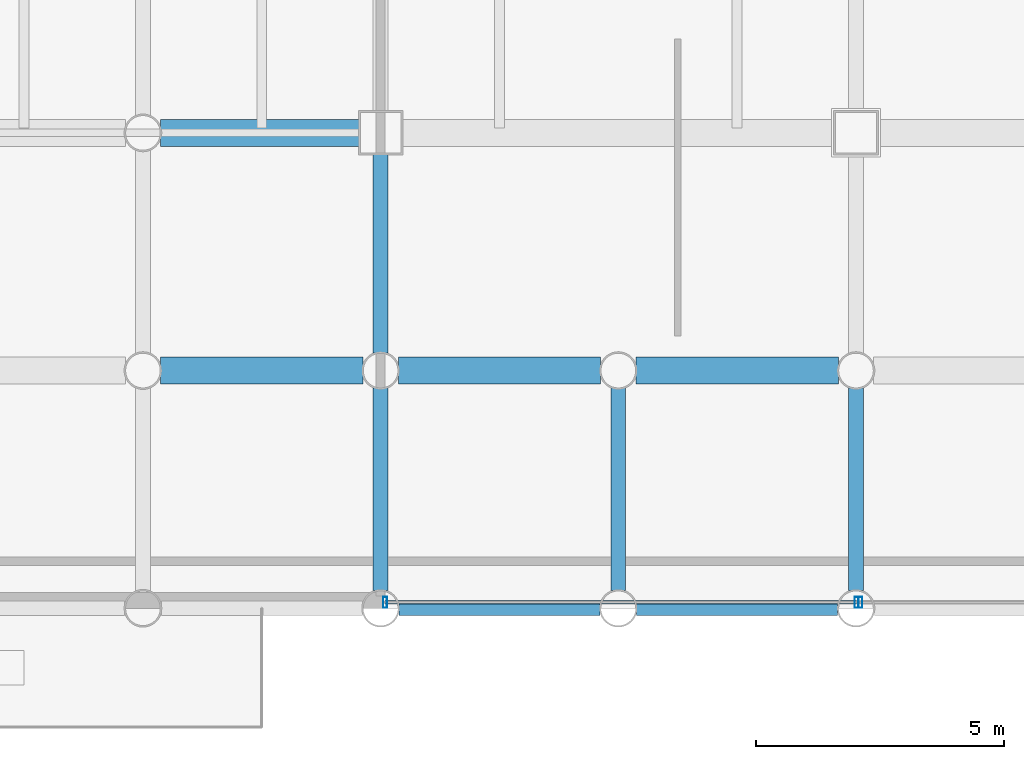
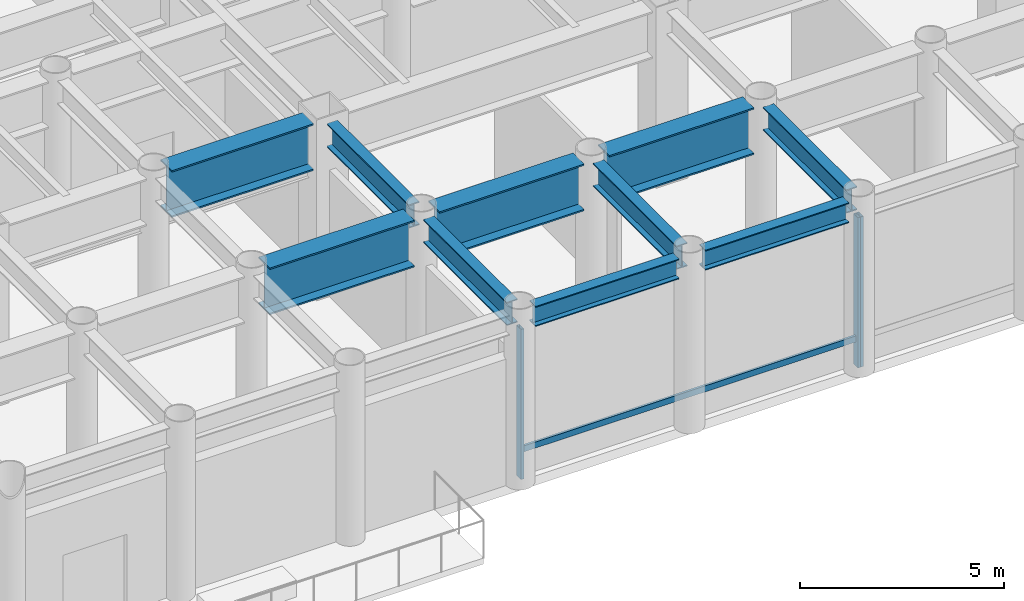
# One storey, part 2 of 17: 10 beams, 4 members, 2 elements without a shape of their own.
"""IFC4 building model written with IfcOpenShell, lengths in metres."""

import ifcopenshell
import ifcopenshell.guid

model = None  # the IFC model being written
_history = None  # IfcOwnerHistory: only IFC2X3 demands one
_inside = {}  # id of a spatial element -> (the spatial element, [elements in it])
_under = {}  # id of a project, library or spatial element -> (it, [spatial elements below it])
_declared = {}  # id of a project -> (the project, [libraries it declares])
_typed = {}  # id of a type object -> (the type object, [elements of that type])
_made_of = {}  # id of a material, layer set ... -> (it, [elements and type objects made of it])


def new_model(schema):
    """Start an empty IFC model of exactly this schema.

    Asked for "IFC4X3", IfcOpenShell would pick the latest addendum, in which some entities
    have other attributes; the version numbers below select the first issue.
    IFC2X3 requires an IfcOwnerHistory on every rooted entity: one is made here for all.
    """
    global model, _history
    if schema == "IFC4X3":
        model = ifcopenshell.file(schema_version=(4, 3, 0, 0))
    else:
        model = ifcopenshell.file(schema=schema)
    _inside.clear()
    _under.clear()
    _declared.clear()
    _typed.clear()
    _made_of.clear()
    _history = None
    if model.schema == "IFC2X3":
        org = make("IfcOrganization", Name="unknown")
        user = make(
            "IfcPersonAndOrganization",
            ThePerson=make("IfcPerson", FamilyName="unknown"),
            TheOrganization=org,
        )
        app = make(
            "IfcApplication",
            ApplicationDeveloper=org,
            Version="unknown",
            ApplicationFullName="unknown",
            ApplicationIdentifier="unknown",
        )
        _history = make(
            "IfcOwnerHistory",
            OwningUser=user,
            OwningApplication=app,
            ChangeAction="ADDED",
            CreationDate=0,
        )
    return model


def make(cls, **values):
    """One entity of the class cls with the attributes given. An attribute that is None is left unset."""
    return model.create_entity(
        cls, **{name: value for name, value in values.items() if value is not None}
    )


def rooted(cls, **values):
    """An entity with a GlobalId (a new one), such as an element, a storey or a relation."""
    return make(cls, GlobalId=ifcopenshell.guid.new(), OwnerHistory=_history, **values)


def si_unit(unit_type, name, prefix=None):
    """IfcSIUnit, for example si_unit("LENGTHUNIT", "METRE", prefix="MILLI")."""
    return make("IfcSIUnit", UnitType=unit_type, Prefix=prefix, Name=name)


def assignment(units):
    """IfcUnitAssignment: the units of a project."""
    return None if units is None else make("IfcUnitAssignment", Units=units)


def point(xyz):
    """IfcCartesianPoint."""
    return None if xyz is None else make("IfcCartesianPoint", Coordinates=xyz)


def direction(xyz):
    """IfcDirection."""
    return None if xyz is None else make("IfcDirection", DirectionRatios=xyz)


def frame(location, z_axis=None, x_axis=None):
    """IfcAxis2Placement3D, a coordinate frame: its origin and axes. An axis left out is left unset."""
    return make(
        "IfcAxis2Placement3D",
        Location=point(location),
        Axis=direction(z_axis),
        RefDirection=direction(x_axis),
    )


def frame_2d(location, x_axis=None):
    """IfcAxis2Placement2D, a coordinate frame in the plane: its origin and x axis."""
    return make(
        "IfcAxis2Placement2D", Location=point(location), RefDirection=direction(x_axis)
    )


def origin():
    """The frame at (0, 0, 0) with its axes left unset."""
    return frame((0.0, 0.0, 0.0))


def origin_2d():
    """The frame at (0, 0) in the plane with its x axis left unset."""
    return frame_2d((0.0, 0.0))


def place(relative_to, where):
    """IfcLocalPlacement: puts the frame where relative to a parent placement (None: the world)."""
    return make(
        "IfcLocalPlacement", PlacementRelTo=relative_to, RelativePlacement=where
    )


def context(
    kind, dimensions, precision=None, world=None, true_north=None, identifier=None
):
    """IfcGeometricRepresentationContext, for example the 3D "Model" context."""
    return make(
        "IfcGeometricRepresentationContext",
        ContextIdentifier=identifier,
        ContextType=kind,
        CoordinateSpaceDimension=dimensions,
        Precision=precision,
        WorldCoordinateSystem=world,
        TrueNorth=true_north,
    )


def subcontext(parent, identifier, kind, view, scale=None):
    """IfcGeometricRepresentationSubContext, for example "Body" below "Model"."""
    return make(
        "IfcGeometricRepresentationSubContext",
        ContextIdentifier=identifier,
        ContextType=kind,
        ParentContext=parent,
        TargetScale=scale,
        TargetView=view,
    )


def project(units=None, contexts=None):
    """IfcProject with its units and contexts."""
    return rooted(
        "IfcProject",
        Name="project",
        RepresentationContexts=contexts,
        UnitsInContext=assignment(units),
    )


def spatial(cls, under=None, at=None, **own):
    """A site, building, storey or space (cls), placed at a placement, below another one or the project."""
    s = rooted(cls, ObjectPlacement=at, **own)
    if under is not None:
        _under.setdefault(under.id(), (under, []))[1].append(s)
    return s


def profile(cls, at=None, kind="AREA", **sizes):
    """A parametric profile (cls). Its sizes go by their IFC names, for example OverallWidth=200.0."""
    return make(cls, ProfileType=kind, Position=at, **sizes)


def hollow_rectangle(**sizes):
    """IfcRectangleHollowProfileDef."""
    return profile("IfcRectangleHollowProfileDef", **sizes)


def i_section(**sizes):
    """IfcIShapeProfileDef."""
    return profile("IfcIShapeProfileDef", **sizes)


def extrude(swept, where, along, depth):
    """IfcExtrudedAreaSolid: the profile swept, set in the frame where, extruded along a direction by depth."""
    return make(
        "IfcExtrudedAreaSolid",
        SweptArea=swept,
        Position=where,
        ExtrudedDirection=direction(along),
        Depth=depth,
    )


def shape(context_of_items, identifier, shape_type, items):
    """IfcShapeRepresentation: the items that make up one representation, for example the "Body"."""
    return make(
        "IfcShapeRepresentation",
        ContextOfItems=context_of_items,
        RepresentationIdentifier=identifier,
        RepresentationType=shape_type,
        Items=items,
    )


def material(Name=None, Category=None):
    """IfcMaterial."""
    return make("IfcMaterial", Name=Name, Category=Category)


def layer(
    of_material, thickness, ventilated=None, Name=None, Category=None, Priority=None
):
    """IfcMaterialLayer: one layer of a wall or slab, of a material (None: an air gap)."""
    return make(
        "IfcMaterialLayer",
        Material=of_material,
        LayerThickness=thickness,
        IsVentilated=ventilated,
        Name=Name,
        Category=Category,
        Priority=Priority,
    )


def layer_set(layers, Name=None):
    """IfcMaterialLayerSet."""
    return make("IfcMaterialLayerSet", MaterialLayers=layers, LayerSetName=Name)


def material_profile(
    of_material, cross_section, Name=None, Category=None, Priority=None
):
    """IfcMaterialProfile: a cross section and its material."""
    return make(
        "IfcMaterialProfile",
        Name=Name,
        Material=of_material,
        Profile=cross_section,
        Priority=Priority,
        Category=Category,
    )


def profile_set(profiles, Name=None, composite=None):
    """IfcMaterialProfileSet."""
    return make(
        "IfcMaterialProfileSet",
        Name=Name,
        MaterialProfiles=profiles,
        CompositeProfile=composite,
    )


def made_of(thing, what):
    """Note that an element or type object is made of a material, layer set ...; save() writes the relation."""
    if what is not None:
        _made_of.setdefault(what.id(), (what, []))[1].append(thing)
    return thing


def type_object(cls, material=None, **own):
    """A type object (cls), such as IfcWallType, which elements share."""
    return made_of(rooted(cls, **own), material)


def element(
    cls,
    number,
    at=None,
    inside=None,
    cuts=None,
    type_object=None,
    material=None,
    context=None,
    identifier="Body",
    shape_type=None,
    held_by="IfcProductDefinitionShape",
    body=None,
    shapes=None,
    **own,
):
    """One element of the class cls, such as IfcWall. Its Tag is "e" and its number.

    at: its placement. inside: the storey or other place that contains it. cuts: it is an
    opening in that element (IfcRelVoidsElement). A single representation is given by context,
    identifier, shape_type and body (its items); several are given by shapes. held_by: the class
    of the entity that holds the representations. save() writes the other relations.
    """
    e = rooted(cls, Tag="e%d" % number, ObjectPlacement=at, **own)
    if body is not None:
        shapes = [shape(context, identifier, shape_type, body)]
    if shapes is not None:
        e.Representation = make(held_by, Representations=shapes)
    if inside is not None:
        _inside.setdefault(inside.id(), (inside, []))[1].append(e)
    if cuts is not None:
        rooted(
            "IfcRelVoidsElement", RelatingBuildingElement=cuts, RelatedOpeningElement=e
        )
    if type_object is not None:
        _typed.setdefault(type_object.id(), (type_object, []))[1].append(e)
    return made_of(e, material)


def aggregate(whole, parts):
    """IfcRelAggregates: a whole, such as a stair, and the parts it consists of."""
    return rooted("IfcRelAggregates", RelatingObject=whole, RelatedObjects=parts)


def save(model, path):
    """Write the relations noted so far, then the file.

    IfcRelAggregates (storeys below a building ...), IfcRelContainedInSpatialStructure (elements
    in a storey), IfcRelDefinesByType, IfcRelAssociatesMaterial and IfcRelDeclares: one each for
    every whole, place, type object, material and project.
    """
    for whole, parts in _under.values():
        aggregate(whole, parts)
    for where, things in _inside.values():
        rooted(
            "IfcRelContainedInSpatialStructure",
            RelatedElements=things,
            RelatingStructure=where,
        )
    for kind, things in _typed.values():
        rooted("IfcRelDefinesByType", RelatedObjects=things, RelatingType=kind)
    for what, things in _made_of.values():
        rooted("IfcRelAssociatesMaterial", RelatedObjects=things, RelatingMaterial=what)
    for by, libraries in _declared.values():
        rooted("IfcRelDeclares", RelatingContext=by, RelatedDefinitions=libraries)
    model.write(path)


model = new_model("IFC4")

# Units and contexts
model_context = context("Model", 3, precision=1e-05, world=origin(), true_north=direction((0.0, 1.0)))
body_context = subcontext(model_context, "Body", "Model", "MODEL_VIEW")
ifc_project = project(units=[si_unit("LENGTHUNIT", "METRE"), si_unit("AREAUNIT", "SQUARE_METRE"), si_unit("VOLUMEUNIT", "CUBIC_METRE"), si_unit("PLANEANGLEUNIT", "RADIAN"), si_unit("MASSUNIT", "GRAM", prefix="KILO")], contexts=[model_context])

# Site, building, storey
site_placement = place(None, origin())
site = spatial("IfcSite", under=ifc_project, at=site_placement, CompositionType="ELEMENT")
building_placement = place(site_placement, origin())
building = spatial("IfcBuilding", under=site, at=building_placement, Name="Kallvorn Hotel Tower", CompositionType="ELEMENT")
storey_placement = place(building_placement, frame((0.0, 0.0, 19.199951171875)))
storey = spatial("IfcBuildingStorey", under=building, at=storey_placement, Name="L03", CompositionType="ELEMENT", Elevation=19.199951171875)

# Beams
ifc_material_1 = material(Name="Structural steel S355JR", Category="steel")
ifc_material_profile_1 = material_profile(ifc_material_1, i_section(OverallWidth=0.300048828125, OverallDepth=0.60009765625, WebThickness=0.015380859375, FlangeThickness=0.030029296875, at=origin_2d()), Name="HE 600 B")
ifc_profile_set_1 = profile_set([ifc_material_profile_1], Name="Structural steel S355JR")
beam_type_1 = type_object("IfcBeamType", Name="BM_HE600B", PredefinedType="SPANDREL", material=ifc_profile_set_1)
for number, where, z_axis, x_axis, name in (
    (1, (-14.029052734375, -24.0, 4.880126953125), (1.0, 0.0, 0.0), (0.0, 1.0, 0.0), "L04 Perimeter Spandrel 175"),
    (2, (-9.22900390625, -24.0, 4.880126953125), (1.0, 0.0, 0.0), (0.0, 1.0, 0.0), "L04 Perimeter Spandrel 176"),
):
    element("IfcBeam", number, at=place(storey_placement, frame(where, z_axis=z_axis, x_axis=x_axis)), inside=storey, type_object=beam_type_1, Name=name, PredefinedType="SPANDREL", context=body_context, shape_type="SweptSolid", body=[
        extrude(i_section(OverallWidth=0.300048828125, OverallDepth=0.60009765625, WebThickness=0.015380859375, FlangeThickness=0.030029296875, at=origin_2d()), origin(), (0.0, 0.0, 1.0), 4.05810546875),
    ])
ifc_material_2 = material(Name="Structural steel S355JR", Category="steel")
ifc_material_profile_2 = material_profile(ifc_material_2, i_section(OverallWidth=0.300048828125, OverallDepth=0.699951171875, WebThickness=0.01708984375, FlangeThickness=0.031982421875, at=origin_2d()), Name="HE 700 B")
ifc_profile_set_2 = profile_set([ifc_material_profile_2], Name="Structural steel S355JR")
beam_type_2 = type_object("IfcBeamType", Name="BM_HE700B", PredefinedType="BEAM", material=ifc_profile_set_2)
beam_1_placement = place(storey_placement, frame((-14.39990234375, -23.64404296875, 4.830078125), z_axis=(0.0, 1.0, 0.0), x_axis=(-1.0, 0.0, 0.0)))
element("IfcBeam", 3, at=beam_1_placement, inside=storey, type_object=beam_type_2, Name="L04 Primary Y-Girder 108", PredefinedType="BEAM", context=body_context, shape_type="SweptSolid", body=[
    extrude(i_section(OverallWidth=0.300048828125, OverallDepth=0.699951171875, WebThickness=0.01708984375, FlangeThickness=0.031982421875, at=origin_2d()), origin(), (0.0, 0.0, 1.0), 4.088134765625),
])
beam_2_placement = place(storey_placement, frame((-14.39990234375, -18.843994140625, 4.830078125), z_axis=(0.0, 1.0, 0.0), x_axis=(-1.0, 0.0, 0.0)))
element("IfcBeam", 4, at=beam_2_placement, inside=storey, type_object=beam_type_2, Name="L04 Primary Y-Girder 109", PredefinedType="BEAM", context=body_context, shape_type="SweptSolid", body=[
    extrude(i_section(OverallWidth=0.300048828125, OverallDepth=0.699951171875, WebThickness=0.01708984375, FlangeThickness=0.031982421875, at=origin_2d()), origin(), (0.0, 0.0, 1.0), 4.01904296875),
])
for number, where, z_axis, x_axis, name in (
    (5, (-9.60009765625, -23.64404296875, 4.830078125), (0.0, 1.0, 0.0), (-1.0, 0.0, 0.0), "L04 Primary Y-Girder 114"),
    (6, (-4.800048828125, -23.64404296875, 4.830078125), (0.0, 1.0, 0.0), (-1.0, 0.0, 0.0), "L04 Primary Y-Girder 118"),
):
    element("IfcBeam", number, at=place(storey_placement, frame(where, z_axis=z_axis, x_axis=x_axis)), inside=storey, type_object=beam_type_2, Name=name, PredefinedType="BEAM", context=body_context, shape_type="SweptSolid", body=[
        extrude(i_section(OverallWidth=0.300048828125, OverallDepth=0.699951171875, WebThickness=0.01708984375, FlangeThickness=0.031982421875, at=origin_2d()), origin(), (0.0, 0.0, 1.0), 4.088134765625),
    ])
ifc_material_3 = material(Name="Structural steel S355JR", Category="steel")
ifc_material_profile_3 = material_profile(ifc_material_3, i_section(OverallWidth=0.550048828125, OverallDepth=1.39990234375, WebThickness=0.02490234375, FlangeThickness=0.044921875, at=origin_2d()), Name="PG 1400x550x25x45")
ifc_profile_set_3 = profile_set([ifc_material_profile_3], Name="Structural steel S355JR")
beam_type_3 = type_object("IfcBeamType", Name="BM_PG_1400", PredefinedType="BEAM", material=ifc_profile_set_3)
for number, where, z_axis, x_axis, name in (
    (7, (-18.843994140625, -19.199951171875, 4.47998046875), (1.0, 0.0, 0.0), (0.0, 1.0, 0.0), "L04 Primary X-Girder 04"),
    (8, (-14.0439453125, -19.199951171875, 4.47998046875), (1.0, 0.0, 0.0), (0.0, 1.0, 0.0), "L04 Primary X-Girder 05"),
    (9, (-9.243896484375, -19.199951171875, 4.47998046875), (1.0, 0.0, 0.0), (0.0, 1.0, 0.0), "L04 Primary X-Girder 06"),
):
    element("IfcBeam", number, at=place(storey_placement, frame(where, z_axis=z_axis, x_axis=x_axis)), inside=storey, type_object=beam_type_3, Name=name, PredefinedType="BEAM", context=body_context, shape_type="SweptSolid", body=[
        extrude(i_section(OverallWidth=0.550048828125, OverallDepth=1.39990234375, WebThickness=0.02490234375, FlangeThickness=0.044921875, at=origin_2d()), origin(), (0.0, 0.0, 1.0), 4.087890625),
    ])
beam_3_placement = place(storey_placement, frame((-18.843994140625, -14.39990234375, 4.47998046875), z_axis=(1.0, 0.0, 0.0), x_axis=(0.0, 1.0, 0.0)))
element("IfcBeam", 10, at=beam_3_placement, inside=storey, type_object=beam_type_3, Name="L04 Primary X-Girder 18", PredefinedType="BEAM", context=body_context, shape_type="SweptSolid", body=[
    extrude(i_section(OverallWidth=0.550048828125, OverallDepth=1.39990234375, WebThickness=0.02490234375, FlangeThickness=0.044921875, at=origin_2d()), origin(), (0.0, 0.0, 1.0), 4.01904296875),
])

# Curtain wall, members
ifc_material_4 = material(Name="Thermally broken black-anodised aluminium AA 6063-T6", Category="aluminium")
ifc_layer = layer(ifc_material_4, 0.219970703125)
ifc_layer_set = layer_set([ifc_layer], Name="CW_SYS_2_PODIUM_CASC")
curtain_wall_type = type_object("IfcCurtainWallType", Name="CW_SYS_2_PODIUM_CASC", PredefinedType="USERDEFINED", material=ifc_layer_set)
curtain_wall_1_placement = place(storey_placement, origin())
curtain_wall_1 = element("IfcCurtainWall", 11, at=curtain_wall_1_placement, inside=storey, type_object=curtain_wall_type, Name="L03 Dark-Glass Curtain Wall CW-L03-S1", ObjectType="UNITISED CURTAIN WALL", PredefinedType="USERDEFINED")
ifc_material_5 = material(Name="Thermally broken black-anodised aluminium AA 6063-T6", Category="aluminium")
ifc_material_profile_4 = material_profile(ifc_material_5, hollow_rectangle(XDim=0.080078125, YDim=0.219970703125, WallThickness=0.0048828125, at=origin_2d()), Name="MUL 220x80")
ifc_profile_set_4 = profile_set([ifc_material_profile_4], Name="Thermally broken black-anodised aluminium AA 6063-T6")
member_type_1 = type_object("IfcMemberType", Name="CW_MULLION_220x80", PredefinedType="MULLION", material=ifc_profile_set_4)
member_1_placement = place(storey_placement, frame((-14.31005859375, -23.8798828125, 0.02001953125), z_axis=(0.0, 0.0, 1.0), x_axis=(1.0, 0.0, 0.0)))
member_1 = element("IfcMember", 12, at=member_1_placement, type_object=member_type_1, Name="CW-L03-S1 Mullion 00", PredefinedType="MULLION", context=body_context, shape_type="SweptSolid", body=[
    extrude(hollow_rectangle(XDim=0.080078125, YDim=0.219970703125, WallThickness=0.0048828125, at=origin_2d()), origin(), (0.0, 0.0, 1.0), 4.489990234375),
])
member_2_placement = place(storey_placement, frame((-4.7900390625, -23.8798828125, 0.02001953125), z_axis=(0.0, 0.0, 1.0), x_axis=(1.0, 0.0, 0.0)))
member_2 = element("IfcMember", 13, at=member_2_placement, type_object=member_type_1, Name="CW-L03-S1 Mullion 01", PredefinedType="MULLION", context=body_context, shape_type="SweptSolid", body=[
    extrude(hollow_rectangle(XDim=0.080078125, YDim=0.219970703125, WallThickness=0.0048828125, at=origin_2d()), origin(), (0.0, 0.0, 1.0), 4.489990234375),
])

# Curtain wall, member
curtain_wall_2_placement = place(storey_placement, origin())
curtain_wall_2 = element("IfcCurtainWall", 14, at=curtain_wall_2_placement, inside=storey, type_object=curtain_wall_type, Name="L03 Dark-Glass Curtain Wall CW-L03-S2", ObjectType="UNITISED CURTAIN WALL", PredefinedType="USERDEFINED")
member_3_placement = place(storey_placement, frame((-4.7099609375, -23.8798828125, 0.02001953125), z_axis=(0.0, 0.0, 1.0), x_axis=(1.0, 0.0, 0.0)))
member_3 = element("IfcMember", 15, at=member_3_placement, type_object=member_type_1, Name="CW-L03-S2 Mullion 00", PredefinedType="MULLION", context=body_context, shape_type="SweptSolid", body=[
    extrude(hollow_rectangle(XDim=0.080078125, YDim=0.219970703125, WallThickness=0.0048828125, at=origin_2d()), origin(), (0.0, 0.0, 1.0), 4.489990234375),
])
aggregate(curtain_wall_2, [member_3])

# Member
ifc_material_6 = material(Name="Thermally broken black-anodised aluminium AA 6063-T6", Category="aluminium")
ifc_material_profile_5 = material_profile(ifc_material_6, hollow_rectangle(XDim=0.070068359375, YDim=0.179931640625, WallThickness=0.00390625, at=origin_2d()), Name="TRN 180x70")
ifc_profile_set_5 = profile_set([ifc_material_profile_5], Name="Thermally broken black-anodised aluminium AA 6063-T6")
member_type_2 = type_object("IfcMemberType", Name="CW_TRANSOM_180x70", PredefinedType="USERDEFINED", material=ifc_profile_set_5)
member_4_placement = place(storey_placement, frame((-14.31005859375, -23.8798828125, 0.85009765625), z_axis=(1.0, 0.0, 0.0), x_axis=(0.0, 1.0, 0.0)))
member_4 = element("IfcMember", 16, at=member_4_placement, type_object=member_type_2, Name="CW-L03-S1 Transom 00M", ObjectType="TRANSOM", PredefinedType="USERDEFINED", context=body_context, shape_type="SweptSolid", body=[
    extrude(hollow_rectangle(XDim=0.070068359375, YDim=0.179931640625, WallThickness=0.00390625, at=origin_2d()), origin(), (0.0, 0.0, 1.0), 9.52001953125),
])

aggregate(curtain_wall_1, [member_1, member_2, member_4])

save(model, "model.ifc")
